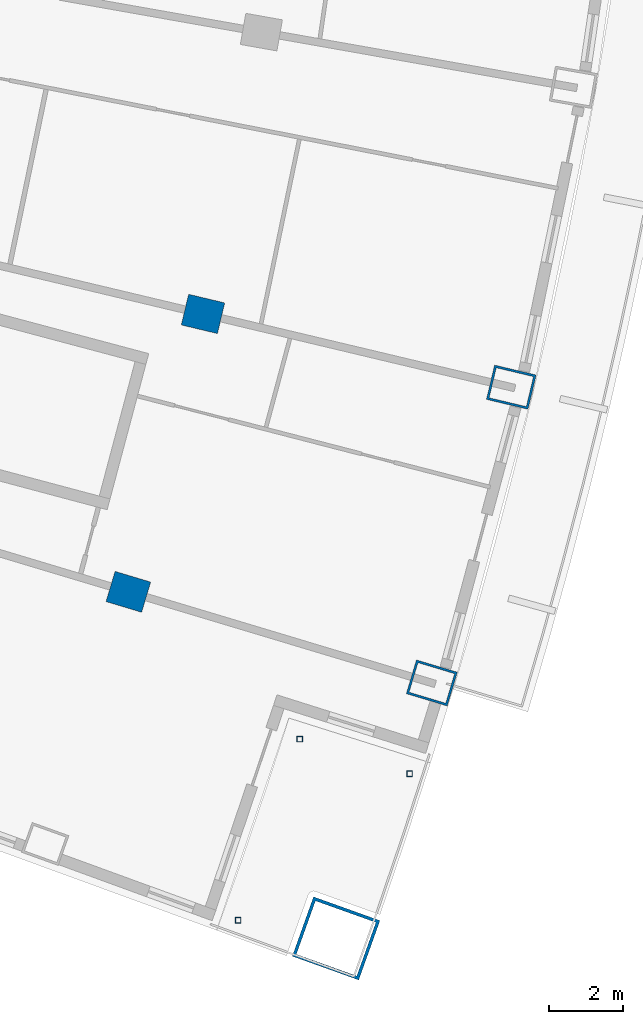
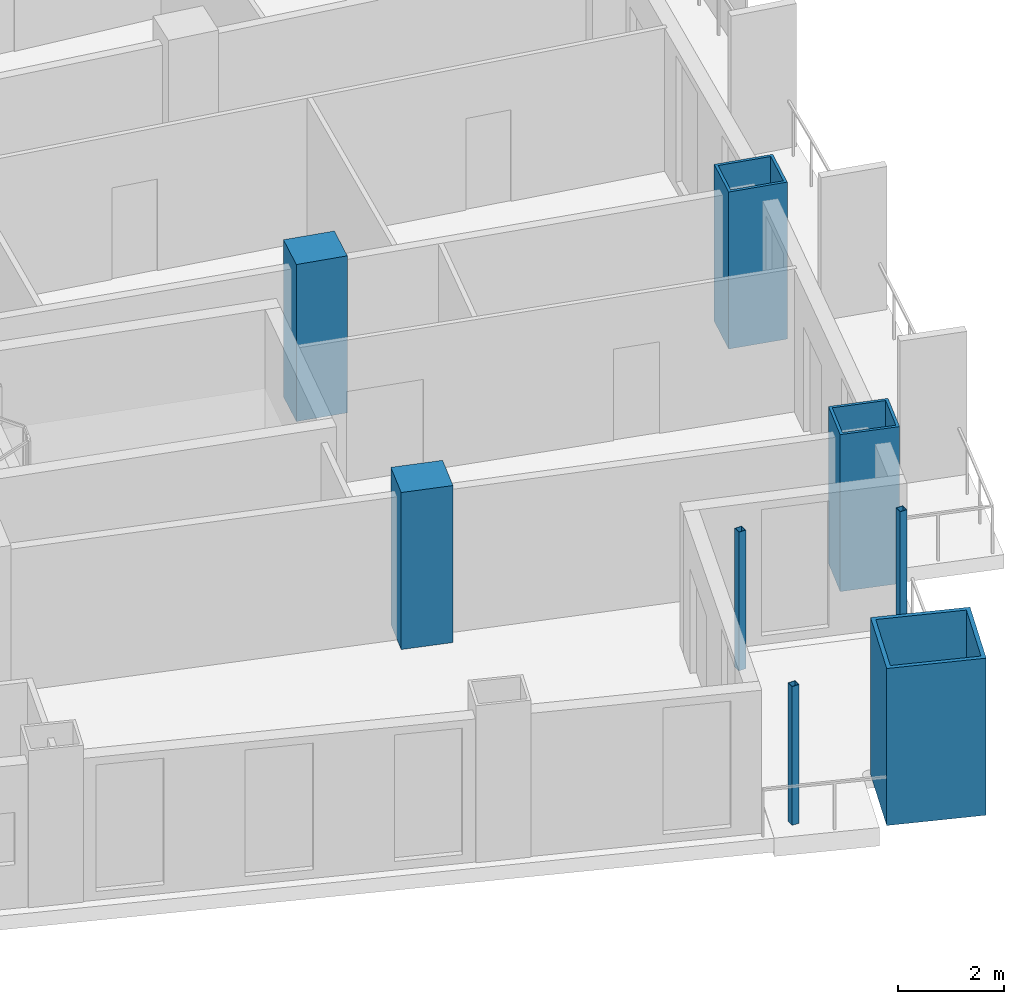
# One storey, part 5 of 24: 8 columns.
"""IFC4 building model written with IfcOpenShell, lengths in metres."""

from ifc_helpers import new_model, si_unit, direction, frame, origin, origin_2d, place, context, subcontext, project, spatial, rectangle, hollow_rectangle, extrude, material, material_profile, profile_set, type_object, element, save


model = new_model("IFC4")

# Units and contexts
model_context = context("Model", 3, precision=1e-05, world=origin(), true_north=direction((0.0, 1.0)))
body_context = subcontext(model_context, "Body", "Model", "MODEL_VIEW")
ifc_project = project(units=[si_unit("LENGTHUNIT", "METRE"), si_unit("AREAUNIT", "SQUARE_METRE"), si_unit("VOLUMEUNIT", "CUBIC_METRE"), si_unit("PLANEANGLEUNIT", "RADIAN"), si_unit("MASSUNIT", "GRAM", prefix="KILO")], contexts=[model_context])

# Site, building, storey
site_placement = place(None, origin())
site = spatial("IfcSite", under=ifc_project, at=site_placement, CompositionType="ELEMENT")
building_placement = place(site_placement, origin())
building = spatial("IfcBuilding", under=site, at=building_placement, Name="Alderwake Tower", CompositionType="ELEMENT")
storey_placement = place(building_placement, frame((0.0, 0.0, 96.800048828125)))
storey = spatial("IfcBuildingStorey", under=building, at=storey_placement, Name="L23", CompositionType="ELEMENT", Elevation=96.800048828125)

# Columns
ifc_material_1 = material(Name="Concrete C70/85", Category="concrete")
ifc_material_profile_1 = material_profile(ifc_material_1, rectangle(XDim=0.85009765625, YDim=1.0, at=origin_2d()), Name="RC 1000X850")
ifc_profile_set_1 = profile_set([ifc_material_profile_1], Name="Concrete C70/85")
column_type_1 = type_object("IfcColumnType", Name="Interior column Z2", PredefinedType="COLUMN", material=ifc_profile_set_1)
for number, where, z_axis, x_axis, name in (
    (1, (47.255126953125, 22.794189453125, 0.0), (0.0, 0.0, 1.0), (0.287549418125, 0.957765802342, 0.0), "Column R02-C4"),
    (2, (49.26611328125, 30.2783203125, 0.0), (0.0, 0.0, 1.0), (0.231221547198, 0.972901123502, 0.0), "Column R03-C4"),
):
    element("IfcColumn", number, at=place(storey_placement, frame(where, z_axis=z_axis, x_axis=x_axis)), inside=storey, type_object=column_type_1, Name=name, PredefinedType="COLUMN", context=body_context, shape_type="SweptSolid", body=[
        extrude(rectangle(XDim=0.85009765625, YDim=1.0, at=origin_2d()), origin(), (0.0, 0.0, 1.0), 3.599853515625),
    ])
ifc_material_2 = material(Name="Steel ASTM A500 Grade C", Category="steel")
ifc_material_profile_2 = material_profile(ifc_material_2, hollow_rectangle(XDim=0.15234375, YDim=0.15234375, WallThickness=0.0087890625, at=origin_2d()), Name="HSS6X6X3/8")
ifc_profile_set_2 = profile_set([ifc_material_profile_2], Name="Steel ASTM A500 Grade C")
column_type_2 = type_object("IfcColumnType", Name="Light post HSS6X6X3/8", PredefinedType="COLUMN", material=ifc_profile_set_2)
for number, where, z_axis, x_axis, name in (
    (3, (54.827392578125, 17.89599609375, 0.0), (0.0, 0.0, 1.0), (1.0, 0.0, 0.0), "Terrace post FS1"),
    (4, (50.209716796875, 13.94873046875, 0.0), (0.0, 0.0, 1.0), (1.0, 0.0, 0.0), "Terrace post FS2"),
    (5, (51.87158203125, 18.83056640625, 0.0), (0.0, 0.0, 1.0), (1.0, 0.0, 0.0), "Terrace post FS3"),
):
    element("IfcColumn", number, at=place(storey_placement, frame(where, z_axis=z_axis, x_axis=x_axis)), inside=storey, type_object=column_type_2, Name=name, PredefinedType="COLUMN", context=body_context, shape_type="SweptSolid", body=[
        extrude(hollow_rectangle(XDim=0.15234375, YDim=0.15234375, WallThickness=0.0087890625, at=origin_2d()), origin(), (0.0, 0.0, 1.0), 3.179931640625),
    ])
ifc_material_3 = material(Name="Steel ASTM A572 Grade 50 concrete filled C70/85", Category="concrete")
ifc_material_profile_3 = material_profile(ifc_material_3, hollow_rectangle(XDim=1.699951171875, YDim=1.89990234375, WallThickness=0.0849609375, at=origin_2d()), Name="BOX 1900X1700X85")
ifc_profile_set_3 = profile_set([ifc_material_profile_3], Name="Steel ASTM A572 Grade 50 concrete filled C70/85")
column_type_3 = type_object("IfcColumnType", Name="Mega column Z2", PredefinedType="COLUMN", material=ifc_profile_set_3)
column_placement = place(storey_placement, frame((52.850830078125, 13.461669921875, 0.0), z_axis=(0.0, 0.0, 1.0), x_axis=(0.336911216263, 0.941536421152, 0.0)))
element("IfcColumn", 6, at=column_placement, inside=storey, type_object=column_type_3, Name="Column R01-C5", PredefinedType="COLUMN", context=body_context, shape_type="SweptSolid", body=[
    extrude(hollow_rectangle(XDim=1.699951171875, YDim=1.89990234375, WallThickness=0.0849609375, at=origin_2d()), origin(), (0.0, 0.0, 1.0), 3.599853515625),
])
ifc_material_4 = material(Name="Steel ASTM A572 Grade 50 concrete filled C70/85", Category="concrete")
ifc_material_profile_4 = material_profile(ifc_material_4, hollow_rectangle(XDim=0.949951171875, YDim=1.14990234375, WallThickness=0.06005859375, at=origin_2d()), Name="BOX 1150X950X60")
ifc_profile_set_4 = profile_set([ifc_material_profile_4], Name="Steel ASTM A572 Grade 50 concrete filled C70/85")
column_type_4 = type_object("IfcColumnType", Name="Perimeter column Z2", PredefinedType="COLUMN", material=ifc_profile_set_4)
for number, where, z_axis, x_axis, name in (
    (7, (55.427978515625, 20.340576171875, 0.0), (0.0, 0.0, 1.0), (0.287549418125, 0.957765802342, 0.0), "Column R02-C5"),
    (8, (57.568115234375, 28.30517578125, 0.0), (0.0, 0.0, 1.0), (0.231221547198, 0.972901123502, 0.0), "Column R03-C5"),
):
    element("IfcColumn", number, at=place(storey_placement, frame(where, z_axis=z_axis, x_axis=x_axis)), inside=storey, type_object=column_type_4, Name=name, PredefinedType="COLUMN", context=body_context, shape_type="SweptSolid", body=[
        extrude(hollow_rectangle(XDim=0.949951171875, YDim=1.14990234375, WallThickness=0.06005859375, at=origin_2d()), origin(), (0.0, 0.0, 1.0), 3.599853515625),
    ])

save(model, "model.ifc")
